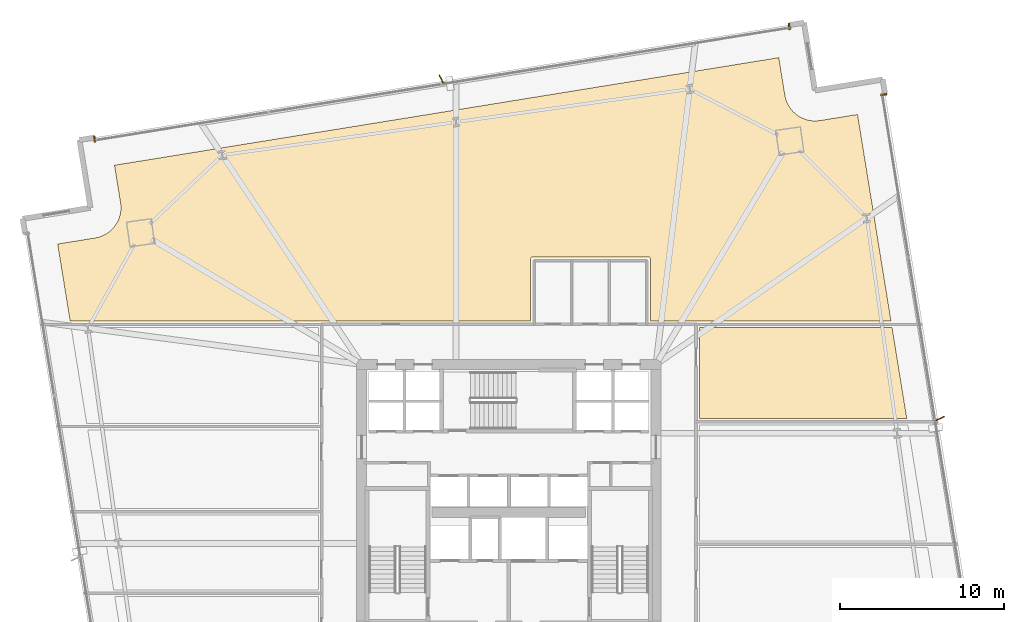
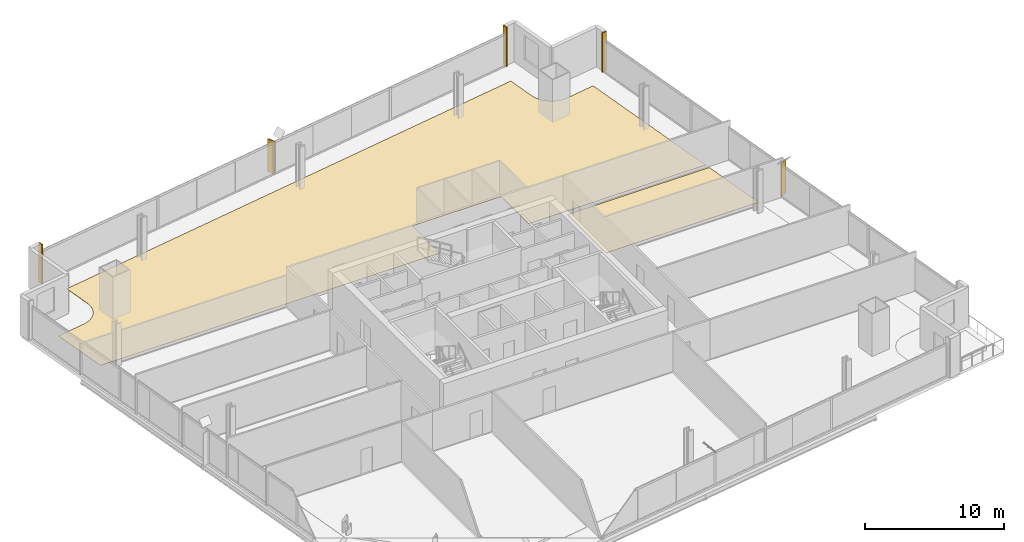
# One storey, part 33 of 33: 5 coverings, 2 shading devices.
"""IFC4 building model written with IfcOpenShell, lengths in metres."""

from ifc_helpers import new_model, si_unit, direction, frame, origin, origin_2d, place, context, subcontext, project, spatial, polyline, rectangle, outline, extrude, source, transform, mapped, material, layer, layer_set, type_object, element, save


model = new_model("IFC4")

# Units and contexts
model_context = context("Model", 3, precision=1e-05, world=origin(), true_north=direction((0.0, 1.0)))
body_context = subcontext(model_context, "Body", "Model", "MODEL_VIEW")
ifc_project = project(units=[si_unit("LENGTHUNIT", "METRE"), si_unit("AREAUNIT", "SQUARE_METRE"), si_unit("VOLUMEUNIT", "CUBIC_METRE"), si_unit("PLANEANGLEUNIT", "RADIAN"), si_unit("MASSUNIT", "GRAM", prefix="KILO")], contexts=[model_context])

# Site, building, storey
site_placement = place(None, origin())
site = spatial("IfcSite", under=ifc_project, at=site_placement, CompositionType="ELEMENT")
building_placement = place(site_placement, origin())
building = spatial("IfcBuilding", under=site, at=building_placement, Name="Haldenkirk Collegiate Tower", CompositionType="ELEMENT")
storey_placement = place(building_placement, frame((0.0, 0.0, 58.949951171875)))
storey = spatial("IfcBuildingStorey", under=building, at=storey_placement, Name="L13", CompositionType="ELEMENT", Elevation=58.949951171875)

# Coverings
ifc_material_1 = material(Name="Polished collegiate terrazzo", Category="concrete")
ifc_layer_1 = layer(ifc_material_1, 0.02490234375)
ifc_layer_set_1 = layer_set([ifc_layer_1], Name="Polished collegiate terrazzo")
covering_type_1 = type_object("IfcCoveringType", Name="COV-FLOOR-TERRAZZO", PredefinedType="FLOORING", material=ifc_layer_set_1)
covering_1_placement = place(storey_placement, origin())
element("IfcCovering", 1, at=covering_1_placement, inside=storey, type_object=covering_type_1, Name="L13 academic room finish 12", PredefinedType="FLOORING", context=body_context, shape_type="SweptSolid", body=[
    extrude(outline(polyline([(60.341552734375, 30.699951171875), (47.64990234375, 30.699951171875), (47.64990234375, 36.25), (59.44287109375, 36.25), (60.341552734375, 30.699951171875)])), origin(), (0.0, 0.0, 1.0), 0.025146484375),
])
ifc_material_2 = material(Name="Engineered collegiate oak acoustic flooring", Category="wood")
ifc_layer_2 = layer(ifc_material_2, 0.02197265625)
ifc_layer_set_2 = layer_set([ifc_layer_2], Name="Engineered collegiate oak acoustic flooring")
covering_type_2 = type_object("IfcCoveringType", Name="COV-FLOOR-TIMBER", PredefinedType="FLOORING", material=ifc_layer_set_2)
covering_2_placement = place(storey_placement, origin())
element("IfcCovering", 2, at=covering_2_placement, inside=storey, type_object=covering_type_2, Name="L13 academic room finish 05", PredefinedType="FLOORING", context=body_context, shape_type="SweptSolid", body=[
    extrude(outline(polyline([(10.708251953125, 41.73876953125), (10.714111328125, 41.73974609375), (10.882080078125, 41.775634765625), (10.893310546875, 41.778564453125), (11.056884765625, 41.83056640625), (11.068115234375, 41.834716796875), (11.225830078125, 41.902587890625), (11.236572265625, 41.90771484375), (11.386962890625, 41.99072265625), (11.39697265625, 41.996826171875), (11.538330078125, 42.09423828125), (11.5478515625, 42.101318359375), (11.67919921875, 42.212158203125), (11.687744140625, 42.22021484375), (11.8076171875, 42.343017578125), (11.815185546875, 42.351806640625), (11.922607421875, 42.486083984375), (11.929443359375, 42.49560546875), (12.02294921875, 42.639892578125), (12.02880859375, 42.64990234375), (12.107666015625, 42.802490234375), (12.112548828125, 42.813232421875), (12.17626953125, 42.97265625), (12.179931640625, 42.98388671875), (12.227783203125, 43.148681640625), (12.23046875, 43.160400390625), (12.26171875, 43.3291015625), (12.26318359375, 43.3408203125), (12.27783203125, 43.511962890625), (12.2783203125, 43.523681640625), (12.27587890625, 43.6953125), (12.275146484375, 43.70703125), (12.256103515625, 43.877685546875), (12.25537109375, 43.8837890625), (11.8828125, 46.18359375), (52.51318359375, 52.764404296875), (52.8857421875, 50.46435546875), (52.886962890625, 50.45849609375), (52.922607421875, 50.29052734375), (52.92578125, 50.279296875), (52.977783203125, 50.11572265625), (52.981689453125, 50.1044921875), (53.049560546875, 49.94677734375), (53.0546875, 49.936279296875), (53.1376953125, 49.785888671875), (53.14404296875, 49.77587890625), (53.2412109375, 49.63427734375), (53.24853515625, 49.625), (53.359130859375, 49.49365234375), (53.3671875, 49.485107421875), (53.490234375, 49.365234375), (53.4990234375, 49.357421875), (53.63330078125, 49.250244140625), (53.642822265625, 49.243408203125), (53.786865234375, 49.14990234375), (53.797119140625, 49.143798828125), (53.94970703125, 49.06494140625), (53.960205078125, 49.06005859375), (54.119873046875, 48.99658203125), (54.130859375, 48.99267578125), (54.2958984375, 48.945068359375), (54.307373046875, 48.9423828125), (54.476318359375, 48.9111328125), (54.48779296875, 48.909423828125), (54.658935546875, 48.89501953125), (54.6708984375, 48.89453125), (54.842529296875, 48.896728515625), (54.854248046875, 48.8974609375), (55.02490234375, 48.91650390625), (55.03076171875, 48.91748046875), (57.330810546875, 49.2900390625), (59.3779296875, 36.64990234375), (44.669921875, 36.64990234375), (44.669921875, 40.449951171875), (44.66943359375, 40.4619140625), (44.667724609375, 40.473388671875), (44.664794921875, 40.48486328125), (44.660888671875, 40.495849609375), (44.65576171875, 40.506591796875), (44.64990234375, 40.5166015625), (44.642822265625, 40.526123046875), (44.635009765625, 40.534912109375), (44.626220703125, 40.542724609375), (44.61669921875, 40.5498046875), (44.606689453125, 40.555908203125), (44.595947265625, 40.560791015625), (44.584716796875, 40.564697265625), (44.573486328125, 40.567626953125), (44.561767578125, 40.5693359375), (44.550048828125, 40.570068359375), (37.449951171875, 40.570068359375), (37.438232421875, 40.5693359375), (37.426513671875, 40.567626953125), (37.415283203125, 40.564697265625), (37.404052734375, 40.560791015625), (37.393310546875, 40.555908203125), (37.38330078125, 40.5498046875), (37.373779296875, 40.542724609375), (37.364990234375, 40.534912109375), (37.357177734375, 40.526123046875), (37.35009765625, 40.5166015625), (37.34423828125, 40.506591796875), (37.339111328125, 40.495849609375), (37.335205078125, 40.48486328125), (37.332275390625, 40.473388671875), (37.33056640625, 40.4619140625), (37.330078125, 40.449951171875), (37.330078125, 36.64990234375), (9.172119140625, 36.64990234375), (8.408203125, 41.3662109375), (10.708251953125, 41.73876953125)])), origin(), (0.0, 0.0, 1.0), 0.02197265625),
])
ifc_material_3 = material(Name="Anodised architectural bronze aluminium", Category="aluminium")
ifc_layer_3 = layer(ifc_material_3, 0.06005859375)
ifc_layer_set_3 = layer_set([ifc_layer_3], Name="Anodised architectural bronze aluminium")
covering_type_3 = type_object("IfcCoveringType", Name="COV-CLAD-BRONZE-60", PredefinedType="CLADDING", material=ifc_layer_set_3)
shared_shape_1 = source(origin(), body_context, "Body", "SweptSolid", [
    extrude(rectangle(XDim=0.10009765625, YDim=0.3798828125, at=origin_2d()), origin(), (0.0, 0.0, 1.0), 3.43994140625),
])
for number, where, z_axis, x_axis, name in (
    (3, (58.9375, 50.50244140625, 0.0), (0.0, 0.0, 1.0), (0.159881187692, -0.987136265073, 0.0), "L13 recessed curtain-wall bronze jamb closure EJL"),
    (4, (10.670166015625, 47.79052734375, 0.0), (0.0, 0.0, 1.0), (0.987136265073, 0.159881187692, 0.0), "L13 recessed curtain-wall bronze jamb closure NJL"),
    (5, (53.15673828125, 54.671875, 0.0), (0.0, 0.0, 1.0), (0.987136265073, 0.159881187692, 0.0), "L13 recessed curtain-wall bronze jamb closure NJR"),
):
    element("IfcCovering", number, at=place(storey_placement, frame(where, z_axis=z_axis, x_axis=x_axis)), inside=storey, type_object=covering_type_3, Name=name, PredefinedType="CLADDING", context=body_context, shape_type="MappedRepresentation", body=[
        mapped(shared_shape_1, transform((0.0, 0.0, 0.0), x_axis=(1.0, 0.0, 0.0), y_axis=(0.0, 1.0, 0.0), z_axis=(0.0, 0.0, 1.0), scale=1.0)),
    ])

# Shading devices
ifc_layer_4 = layer(ifc_material_3, 0.06494140625)
ifc_layer_set_4 = layer_set([ifc_layer_4], Name="Anodised architectural bronze aluminium")
shading_device_type = type_object("IfcShadingDeviceType", Name="SHD-FIN-BRONZE-620", PredefinedType="USERDEFINED", material=ifc_layer_set_4)
shared_shape_2 = source(origin(), body_context, "Body", "SweptSolid", [
    extrude(rectangle(XDim=0.6201171875, YDim=0.06494140625, at=origin_2d()), origin(), (0.0, 0.0, 1.0), 2.89111328125),
])
for number, where, z_axis, x_axis, name in (
    (6, (62.354736328125, 30.686279296875, 0.0), (0.0, 0.0, 1.0), (0.904827052466, 0.425779291565, 0.0), "L13 folded bronze solar fin 1"),
    (7, (31.880615234375, 51.43359375, 0.0), (0.0, 0.0, 1.0), (-0.425779291565, 0.904827052466, 0.0), "L13 folded bronze solar fin 1"),
):
    element("IfcShadingDevice", number, at=place(storey_placement, frame(where, z_axis=z_axis, x_axis=x_axis)), inside=storey, type_object=shading_device_type, Name=name, ObjectType="FIN", PredefinedType="USERDEFINED", context=body_context, shape_type="MappedRepresentation", body=[
        mapped(shared_shape_2, transform((0.0, 0.0, 0.0), x_axis=(1.0, 0.0, 0.0), y_axis=(0.0, 1.0, 0.0), z_axis=(0.0, 0.0, 1.0), scale=1.0)),
    ])

save(model, "model.ifc")
